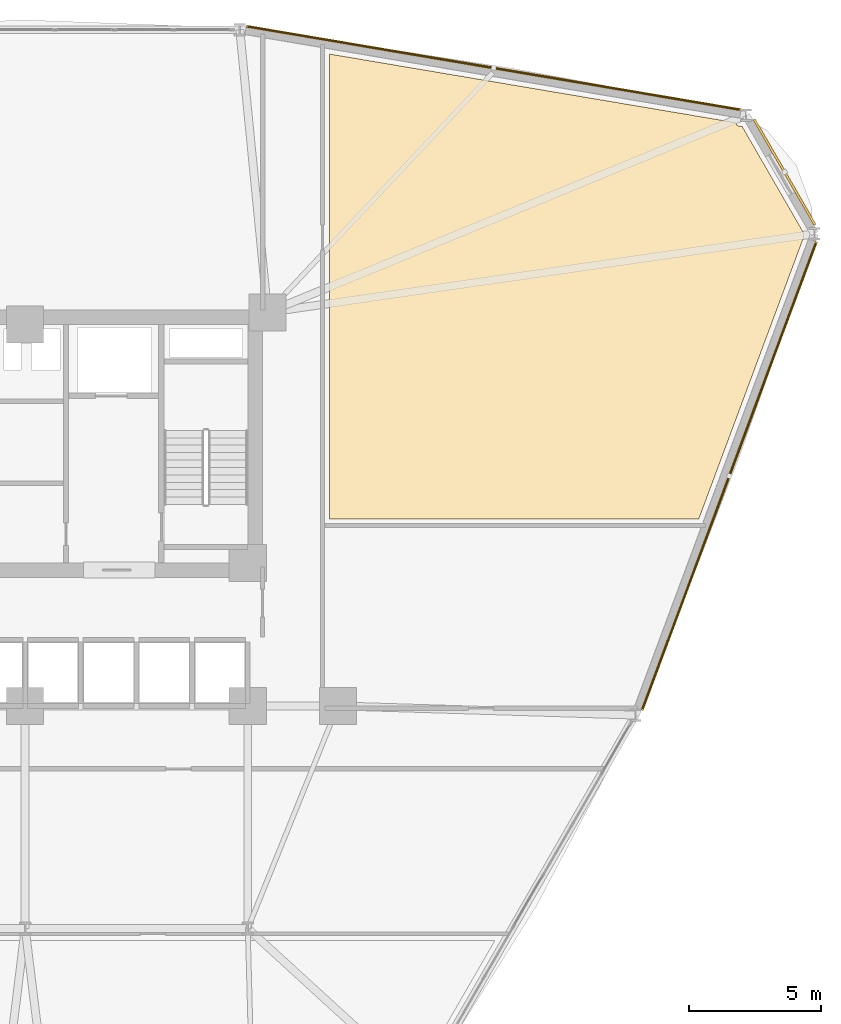
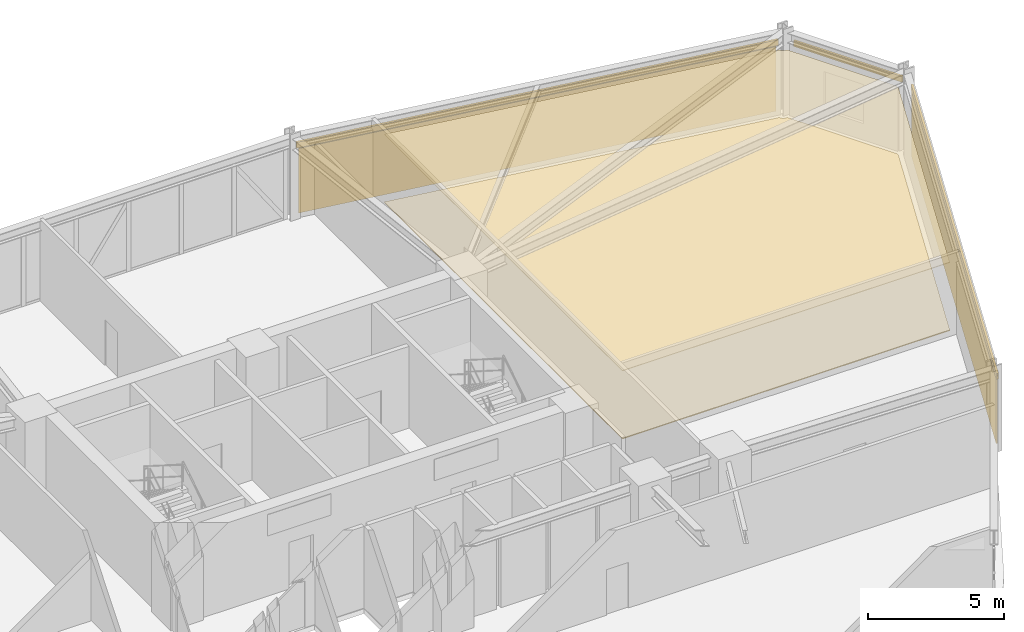
# One storey, part 21 of 21: 4 coverings, 3 shading devices.
"""IFC4 building model written with IfcOpenShell, lengths in metres."""

from ifc_helpers import new_model, si_unit, derived_unit, direction, frame, origin, origin_2d, place, context, subcontext, project, spatial, polyline, hollow_rectangle, outline, extrude, source, transform, mapped, material, layer, layer_set, material_profile, profile_set, type_object, element, save


model = new_model("IFC4")

# Units and contexts
model_context = context("Model", 3, precision=1e-05, world=origin(), true_north=direction((0.0, 1.0)))
body_context = subcontext(model_context, "Body", "Model", "MODEL_VIEW")
ifc_project = project(units=[si_unit("LENGTHUNIT", "METRE"), si_unit("AREAUNIT", "SQUARE_METRE"), si_unit("VOLUMEUNIT", "CUBIC_METRE"), si_unit("PLANEANGLEUNIT", "RADIAN"), si_unit("MASSUNIT", "GRAM", prefix="KILO"), derived_unit("THERMALTRANSMITTANCEUNIT", [(si_unit("POWERUNIT", "WATT"), 1), (si_unit("LENGTHUNIT", "METRE"), -2), (si_unit("THERMODYNAMICTEMPERATUREUNIT", "KELVIN"), -1)])], contexts=[model_context])

# Site, building, storey
site_placement = place(None, origin())
site = spatial("IfcSite", under=ifc_project, at=site_placement, CompositionType="ELEMENT")
building_placement = place(site_placement, origin())
building = spatial("IfcBuilding", under=site, at=building_placement, Name="Korsvarv Bourse and Concert Hall", CompositionType="ELEMENT")
storey_placement = place(building_placement, frame((0.0, 0.0, 27.89990234375)))
storey = spatial("IfcBuildingStorey", under=building, at=storey_placement, Name="L06", CompositionType="ELEMENT", Elevation=27.89990234375)

# Coverings
ifc_material_1 = material(Name="Perforated mineral-wool and birch acoustic baffle ceiling", Category="wood")
ifc_layer_1 = layer(ifc_material_1, 0.02490234375)
ifc_layer_set_1 = layer_set([ifc_layer_1], Name="Perforated mineral-wool and birch acoustic baffle ceiling")
covering_type_1 = type_object("IfcCoveringType", Name="COV-CEIL-1", PredefinedType="CEILING", material=ifc_layer_set_1)
covering_1_placement = place(storey_placement, frame((0.0, 0.0, 3.06005859375)))
element("IfcCovering", 1, at=covering_1_placement, inside=storey, type_object=covering_type_1, Name="L06 acoustic baffle ceiling 1", PredefinedType="CEILING", context=body_context, shape_type="SweptSolid", body=[
    extrude(outline(polyline([(47.47998046875, 57.0009765625), (62.8095703125, 54.411376953125), (62.819091796875, 54.38134765625), (62.8369140625, 54.349609375), (62.8603515625, 54.322021484375), (62.888916015625, 54.2998046875), (62.92138671875, 54.283447265625), (62.95654296875, 54.2744140625), (63.057373046875, 54.267822265625), (65.38671875, 50.2333984375), (65.38671875, 50.11181640625), (61.4189453125, 39.449951171875), (47.47998046875, 39.449951171875), (47.47998046875, 57.0009765625)])), origin(), (0.0, 0.0, 1.0), 0.025146484375),
])
ifc_material_2 = material(Name="Warm iron-oxide extruded terracotta rainscreen tile", Category="ceramic")
ifc_layer_2 = layer(ifc_material_2, 0.044921875)
ifc_layer_set_2 = layer_set([ifc_layer_2], Name="Warm iron-oxide extruded terracotta rainscreen tile")
covering_type_2 = type_object("IfcCoveringType", Name="COV-CLD-TC", PredefinedType="CLADDING", material=ifc_layer_set_2)
covering_2_placement = place(storey_placement, origin())
element("IfcCovering", 2, at=covering_2_placement, inside=storey, type_object=covering_type_2, Name="L06 fluted terracotta cladding panel EW-L06-B02", PredefinedType="CLADDING", context=body_context, shape_type="SweptSolid", body=[
    extrude(outline(polyline([(62.933349609375, 54.872314453125), (44.416015625, 58.000244140625), (44.42333984375, 58.044677734375), (62.94091796875, 54.91650390625), (62.933349609375, 54.872314453125)])), origin(), (0.0, 0.0, 1.0), 2.91015625),
])
covering_3_placement = place(storey_placement, origin())
element("IfcCovering", 3, at=covering_3_placement, inside=storey, type_object=covering_type_2, Name="L06 fluted terracotta cladding panel EW-L06-B12", PredefinedType="CLADDING", context=body_context, shape_type="SweptSolid", body=[
    extrude(outline(polyline([(59.27392578125, 32.323974609375), (65.797119140625, 49.85302734375), (65.83935546875, 49.83740234375), (59.316162109375, 32.308349609375), (59.27392578125, 32.323974609375)])), origin(), (0.0, 0.0, 1.0), 2.91015625),
])
ifc_material_3 = material(Name="Calcium-sulphate raised access trading floor with Nordic oak top", Category="wood")
ifc_layer_3 = layer(ifc_material_3, 0.0400390625)
ifc_layer_set_3 = layer_set([ifc_layer_3], Name="Calcium-sulphate raised access trading floor with Nordic oak top")
covering_type_3 = type_object("IfcCoveringType", Name="COV-FLOR-1", PredefinedType="FLOORING", material=ifc_layer_set_3)
covering_4_placement = place(storey_placement, origin())
element("IfcCovering", 4, at=covering_4_placement, inside=storey, type_object=covering_type_3, Name="L06 raised access oak floor finish 1", PredefinedType="FLOORING", context=body_context, shape_type="SweptSolid", body=[
    extrude(outline(polyline([(47.47998046875, 57.0009765625), (62.8095703125, 54.411376953125), (62.819091796875, 54.38134765625), (62.8369140625, 54.349609375), (62.8603515625, 54.322021484375), (62.888916015625, 54.2998046875), (62.92138671875, 54.283447265625), (62.95654296875, 54.2744140625), (63.057373046875, 54.267822265625), (65.38671875, 50.2333984375), (65.38671875, 50.11181640625), (61.4189453125, 39.449951171875), (47.47998046875, 39.449951171875), (47.47998046875, 57.0009765625)])), origin(), (0.0, 0.0, 1.0), 0.0400390625),
])

# Shading devices
ifc_material_4 = material(Name="Glazed extruded architectural terracotta", Category="ceramic")
ifc_material_profile = material_profile(ifc_material_4, hollow_rectangle(XDim=0.090087890625, YDim=0.260009765625, WallThickness=0.011962890625, at=origin_2d()), Name="TC-BAG 90x260")
ifc_profile_set = profile_set([ifc_material_profile], Name="Glazed extruded architectural terracotta")
shading_device_type = type_object("IfcShadingDeviceType", Name="SHD-BAG-1", PredefinedType="USERDEFINED", material=ifc_profile_set)
shared_shape_1 = source(origin(), body_context, "Body", "SweptSolid", [
    extrude(hollow_rectangle(XDim=0.090087890625, YDim=0.260009765625, WallThickness=0.011962890625, at=origin_2d()), origin(), (0.0, 0.0, 1.0), 4.604736328125),
])
shading_device_1_placement = place(storey_placement, frame((65.80908203125, 50.5517578125, 3.070068359375), z_axis=(-0.500022295776, 0.86601253093, 0.0), x_axis=(-0.86601253093, -0.500022295776, 0.0)))
element("IfcShadingDevice", 5, at=shading_device_1_placement, inside=storey, type_object=shading_device_type, Name="L06 terracotta baguette sunshade EW-L06-B01", ObjectType="BAGUETTE", PredefinedType="USERDEFINED", context=body_context, shape_type="MappedRepresentation", body=[
    mapped(shared_shape_1, transform((0.0, 0.0, 0.0), scale=1.0)),
])
shared_shape_2 = source(origin(), body_context, "Body", "SweptSolid", [
    extrude(hollow_rectangle(XDim=0.090087890625, YDim=0.260009765625, WallThickness=0.011962890625, at=origin_2d()), origin(), (0.0, 0.0, 1.0), 18.93994140625),
])
shading_device_2_placement = place(storey_placement, frame((63.018798828125, 54.8984375, 3.070068359375), z_axis=(-0.98603202958, 0.166555806393, 0.0), x_axis=(-0.166555806393, -0.98603202958, 0.0)))
element("IfcShadingDevice", 6, at=shading_device_2_placement, inside=storey, type_object=shading_device_type, Name="L06 terracotta baguette sunshade EW-L06-B02", ObjectType="BAGUETTE", PredefinedType="USERDEFINED", context=body_context, shape_type="MappedRepresentation", body=[
    mapped(shared_shape_2, transform((0.0, 0.0, 0.0), scale=1.0)),
])
shared_shape_3 = source(origin(), body_context, "Body", "SweptSolid", [
    extrude(hollow_rectangle(XDim=0.090087890625, YDim=0.260009765625, WallThickness=0.011962890625, at=origin_2d()), origin(), (0.0, 0.0, 1.0), 18.863525390625),
])
shading_device_3_placement = place(storey_placement, frame((59.28369140625, 32.235107421875, 3.070068359375), z_axis=(0.34875935694, 0.937212308363, 0.0), x_axis=(-0.937212308363, 0.34875935694, 0.0)))
element("IfcShadingDevice", 7, at=shading_device_3_placement, inside=storey, type_object=shading_device_type, Name="L06 terracotta baguette sunshade EW-L06-B12", ObjectType="BAGUETTE", PredefinedType="USERDEFINED", context=body_context, shape_type="MappedRepresentation", body=[
    mapped(shared_shape_3, transform((0.0, 0.0, 0.0), scale=1.0)),
])

save(model, "model.ifc")
